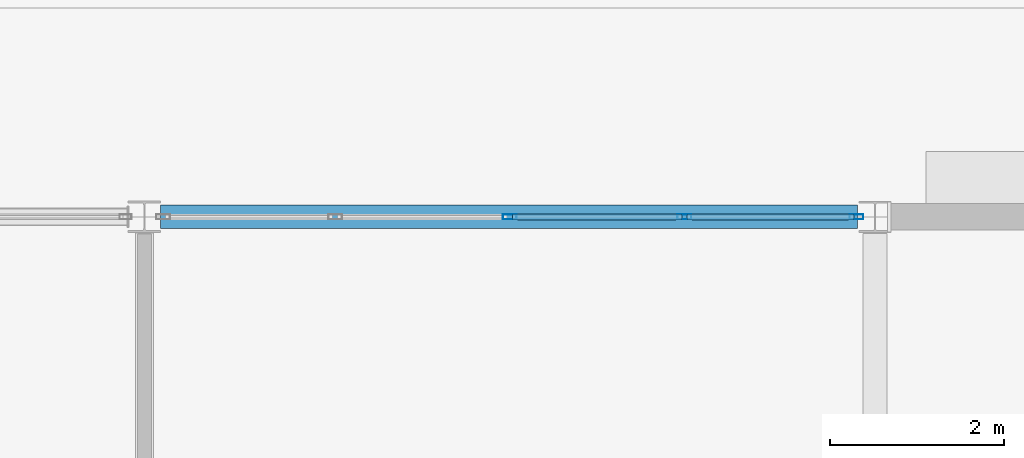
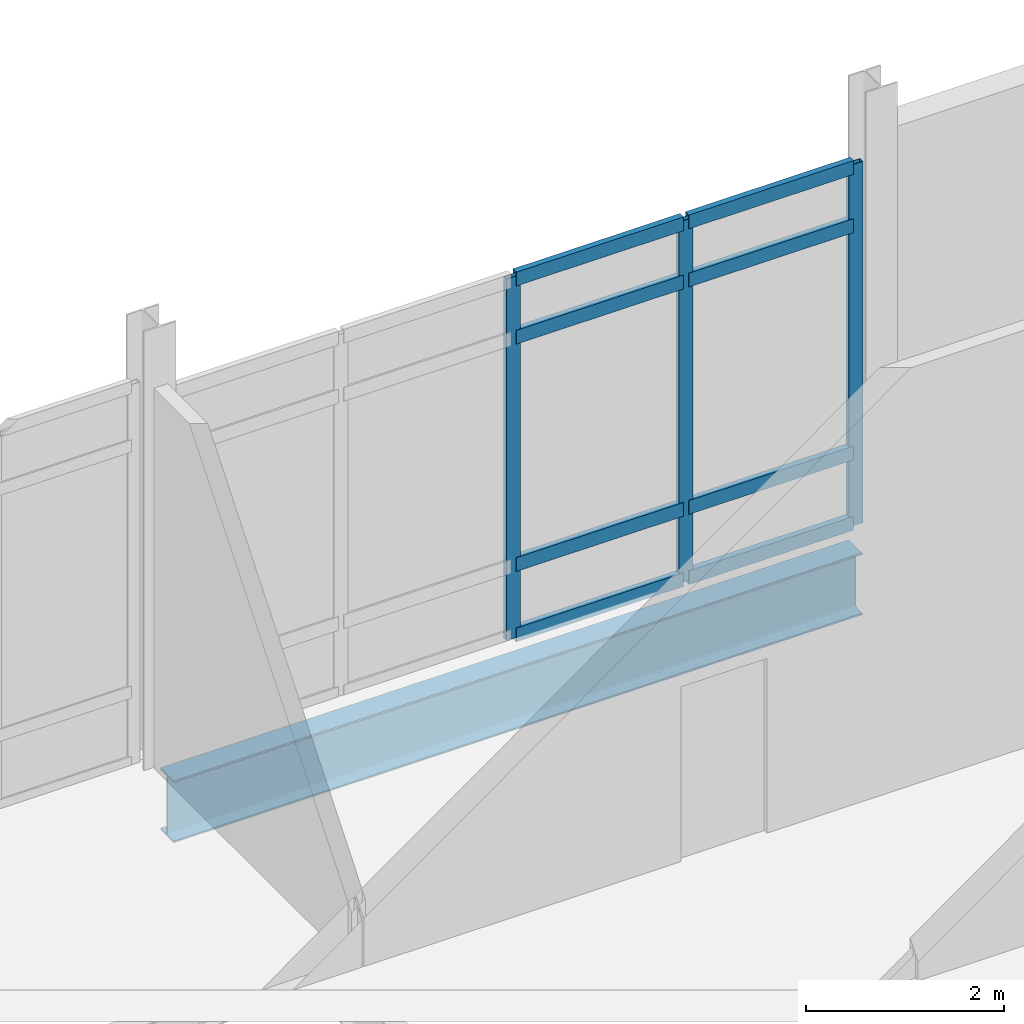
# One storey, part 89 of 229: 11 members, 1 beam, 1 element without a shape of its own.
"""IFC4 building model written with IfcOpenShell, lengths in metres."""

from ifc_helpers import new_model, si_unit, direction, frame, origin, origin_2d, place, context, subcontext, project, spatial, hollow_rectangle, i_section, extrude, material, layer, layer_set, material_profile, profile_set, type_object, element, aggregate, save


model = new_model("IFC4")

# Units and contexts
model_context = context("Model", 3, precision=1e-05, world=origin(), true_north=direction((0.0, 1.0)))
body_context = subcontext(model_context, "Body", "Model", "MODEL_VIEW")
ifc_project = project(units=[si_unit("LENGTHUNIT", "METRE"), si_unit("AREAUNIT", "SQUARE_METRE"), si_unit("VOLUMEUNIT", "CUBIC_METRE"), si_unit("PLANEANGLEUNIT", "RADIAN"), si_unit("MASSUNIT", "GRAM", prefix="KILO")], contexts=[model_context])

# Site, building, storey
site_placement = place(None, origin())
site = spatial("IfcSite", under=ifc_project, at=site_placement, CompositionType="ELEMENT")
building_placement = place(site_placement, origin())
building = spatial("IfcBuilding", under=site, at=building_placement, Name="Calvrana Isthmian Art Gallery", CompositionType="ELEMENT")
storey_placement = place(building_placement, origin())
storey = spatial("IfcBuildingStorey", under=building, at=storey_placement, Name="L00", CompositionType="ELEMENT", Elevation=0.0)

# Beam
ifc_material_1 = material(Name="Steel ASTM A992 Gr 50", Category="steel")
ifc_material_profile_1 = material_profile(ifc_material_1, i_section(OverallWidth=0.26708984375, OverallDepth=0.761962890625, WebThickness=0.014404296875, FlangeThickness=0.021484375, FilletRadius=0.02490234375, at=origin_2d()), Name="W30X116")
ifc_profile_set_1 = profile_set([ifc_material_profile_1], Name="Steel ASTM A992 Gr 50")
beam_type = type_object("IfcBeamType", Name="BM-G-W30X116", PredefinedType="BEAM", material=ifc_profile_set_1)
beam_placement = place(storey_placement, frame((21.78662109375, 112.800048828125, -0.666015625), z_axis=(1.0, 0.0, 0.0), x_axis=(0.0, 1.0, 0.0)))
element("IfcBeam", 1, at=beam_placement, inside=storey, type_object=beam_type, Name="Girder X L00 04-05/P", PredefinedType="BEAM", context=body_context, shape_type="SweptSolid", body=[
    extrude(i_section(OverallWidth=0.26708984375, OverallDepth=0.761962890625, WebThickness=0.014404296875, FlangeThickness=0.021484375, FilletRadius=0.02490234375, at=origin_2d()), origin(), (0.0, 0.0, 1.0), 8.013916015625),
])

# Curtain wall, members
ifc_material_2 = material(Name="Anodized bronze aluminium 6063-T6", Category="aluminium")
ifc_layer = layer(ifc_material_2, 0.179931640625, Name="Anodized bronze aluminium 6063-T6")
ifc_layer_set = layer_set([ifc_layer], Name="Anodized bronze aluminium 6063-T6")
curtain_wall_type = type_object("IfcCurtainWallType", Name="CW-UNIT-080X44", PredefinedType="USERDEFINED", material=ifc_layer_set)
curtain_wall_placement = place(storey_placement, origin())
curtain_wall = element("IfcCurtainWall", 2, at=curtain_wall_placement, inside=storey, type_object=curtain_wall_type, Name="Curtain wall CW-043", ObjectType="UNITISED CURTAIN WALL", PredefinedType="USERDEFINED")
ifc_material_profile_2 = material_profile(ifc_material_2, hollow_rectangle(XDim=0.06005859375, YDim=0.159912109375, WallThickness=0.00390625, at=origin_2d()), Name="CWM60X160")
ifc_profile_set_2 = profile_set([ifc_material_profile_2], Name="Anodized bronze aluminium 6063-T6")
member_type_1 = type_object("IfcMemberType", Name="CWM-CWM60X160", PredefinedType="MULLION", material=ifc_profile_set_2)
member_1_placement = place(storey_placement, frame((25.80078125, 112.800048828125, 0.0), z_axis=(0.0, 0.0, 1.0), x_axis=(0.0, 1.0, 0.0)))
member_1 = element("IfcMember", 3, at=member_1_placement, type_object=member_type_1, Name="CW-043 mullion 3", PredefinedType="MULLION", context=body_context, shape_type="SweptSolid", body=[
    extrude(hollow_rectangle(XDim=0.06005859375, YDim=0.159912109375, WallThickness=0.00390625, at=origin_2d()), origin(), (0.0, 0.0, 1.0), 4.447021484375),
])
member_2_placement = place(storey_placement, frame((27.808349609375, 112.800048828125, 0.0), z_axis=(0.0, 0.0, 1.0), x_axis=(0.0, 1.0, 0.0)))
member_2 = element("IfcMember", 4, at=member_2_placement, type_object=member_type_1, Name="CW-043 mullion 4", PredefinedType="MULLION", context=body_context, shape_type="SweptSolid", body=[
    extrude(hollow_rectangle(XDim=0.06005859375, YDim=0.159912109375, WallThickness=0.00390625, at=origin_2d()), origin(), (0.0, 0.0, 1.0), 4.447021484375),
])
member_3_placement = place(storey_placement, frame((29.785888671875, 112.800048828125, 0.0), z_axis=(0.0, 0.0, 1.0), x_axis=(0.0, 1.0, 0.0)))
member_3 = element("IfcMember", 5, at=member_3_placement, type_object=member_type_1, Name="CW-043 mullion 5", PredefinedType="MULLION", context=body_context, shape_type="SweptSolid", body=[
    extrude(hollow_rectangle(XDim=0.06005859375, YDim=0.159912109375, WallThickness=0.00390625, at=origin_2d()), origin(), (0.0, 0.0, 1.0), 4.447021484375),
])
ifc_material_profile_3 = material_profile(ifc_material_2, hollow_rectangle(XDim=0.070068359375, YDim=0.169921875, WallThickness=0.00439453125, at=origin_2d()), Name="CWT70X170")
ifc_profile_set_3 = profile_set([ifc_material_profile_3], Name="Anodized bronze aluminium 6063-T6")
member_type_2 = type_object("IfcMemberType", Name="CWT-CWT70X170", PredefinedType="USERDEFINED", material=ifc_profile_set_3)
member_4_placement = place(storey_placement, frame((25.830810546875, 112.800048828125, 0.034912109375), z_axis=(1.0, 0.0, 0.0), x_axis=(0.0, 1.0, 0.0)))
member_4 = element("IfcMember", 6, at=member_4_placement, type_object=member_type_2, Name="CW-043 transom 3.1", ObjectType="TRANSOM", PredefinedType="USERDEFINED", context=body_context, shape_type="SweptSolid", body=[
    extrude(hollow_rectangle(XDim=0.070068359375, YDim=0.169921875, WallThickness=0.00439453125, at=origin_2d()), origin(), (0.0, 0.0, 1.0), 1.947509765625),
])
member_5_placement = place(storey_placement, frame((25.830810546875, 112.800048828125, 0.89990234375), z_axis=(1.0, 0.0, 0.0), x_axis=(0.0, 1.0, 0.0)))
member_5 = element("IfcMember", 7, at=member_5_placement, type_object=member_type_2, Name="CW-043 transom 3.2", ObjectType="TRANSOM", PredefinedType="USERDEFINED", context=body_context, shape_type="SweptSolid", body=[
    extrude(hollow_rectangle(XDim=0.070068359375, YDim=0.169921875, WallThickness=0.00439453125, at=origin_2d()), origin(), (0.0, 0.0, 1.0), 1.947509765625),
])
member_6_placement = place(storey_placement, frame((25.830810546875, 112.800048828125, 3.697021484375), z_axis=(1.0, 0.0, 0.0), x_axis=(0.0, 1.0, 0.0)))
member_6 = element("IfcMember", 8, at=member_6_placement, type_object=member_type_2, Name="CW-043 transom 3.3", ObjectType="TRANSOM", PredefinedType="USERDEFINED", context=body_context, shape_type="SweptSolid", body=[
    extrude(hollow_rectangle(XDim=0.070068359375, YDim=0.169921875, WallThickness=0.00439453125, at=origin_2d()), origin(), (0.0, 0.0, 1.0), 1.947509765625),
])
member_7_placement = place(storey_placement, frame((25.830810546875, 112.800048828125, 4.412109375), z_axis=(1.0, 0.0, 0.0), x_axis=(0.0, 1.0, 0.0)))
member_7 = element("IfcMember", 9, at=member_7_placement, type_object=member_type_2, Name="CW-043 transom 3.4", ObjectType="TRANSOM", PredefinedType="USERDEFINED", context=body_context, shape_type="SweptSolid", body=[
    extrude(hollow_rectangle(XDim=0.070068359375, YDim=0.169921875, WallThickness=0.00439453125, at=origin_2d()), origin(), (0.0, 0.0, 1.0), 1.947509765625),
])
member_8_placement = place(storey_placement, frame((27.83837890625, 112.800048828125, 0.034912109375), z_axis=(1.0, 0.0, 0.0), x_axis=(0.0, 1.0, 0.0)))
member_8 = element("IfcMember", 10, at=member_8_placement, type_object=member_type_2, Name="CW-043 transom 4.1", ObjectType="TRANSOM", PredefinedType="USERDEFINED", context=body_context, shape_type="SweptSolid", body=[
    extrude(hollow_rectangle(XDim=0.070068359375, YDim=0.169921875, WallThickness=0.00439453125, at=origin_2d()), origin(), (0.0, 0.0, 1.0), 1.917724609375),
])
member_9_placement = place(storey_placement, frame((27.83837890625, 112.800048828125, 0.89990234375), z_axis=(1.0, 0.0, 0.0), x_axis=(0.0, 1.0, 0.0)))
member_9 = element("IfcMember", 11, at=member_9_placement, type_object=member_type_2, Name="CW-043 transom 4.2", ObjectType="TRANSOM", PredefinedType="USERDEFINED", context=body_context, shape_type="SweptSolid", body=[
    extrude(hollow_rectangle(XDim=0.070068359375, YDim=0.169921875, WallThickness=0.00439453125, at=origin_2d()), origin(), (0.0, 0.0, 1.0), 1.917724609375),
])
member_10_placement = place(storey_placement, frame((27.83837890625, 112.800048828125, 3.697021484375), z_axis=(1.0, 0.0, 0.0), x_axis=(0.0, 1.0, 0.0)))
member_10 = element("IfcMember", 12, at=member_10_placement, type_object=member_type_2, Name="CW-043 transom 4.3", ObjectType="TRANSOM", PredefinedType="USERDEFINED", context=body_context, shape_type="SweptSolid", body=[
    extrude(hollow_rectangle(XDim=0.070068359375, YDim=0.169921875, WallThickness=0.00439453125, at=origin_2d()), origin(), (0.0, 0.0, 1.0), 1.917724609375),
])
member_11_placement = place(storey_placement, frame((27.83837890625, 112.800048828125, 4.412109375), z_axis=(1.0, 0.0, 0.0), x_axis=(0.0, 1.0, 0.0)))
member_11 = element("IfcMember", 13, at=member_11_placement, type_object=member_type_2, Name="CW-043 transom 4.4", ObjectType="TRANSOM", PredefinedType="USERDEFINED", context=body_context, shape_type="SweptSolid", body=[
    extrude(hollow_rectangle(XDim=0.070068359375, YDim=0.169921875, WallThickness=0.00439453125, at=origin_2d()), origin(), (0.0, 0.0, 1.0), 1.917724609375),
])
aggregate(curtain_wall, [member_1, member_2, member_3, member_4, member_5, member_6, member_7, member_8, member_9, member_10, member_11])

save(model, "model.ifc")
